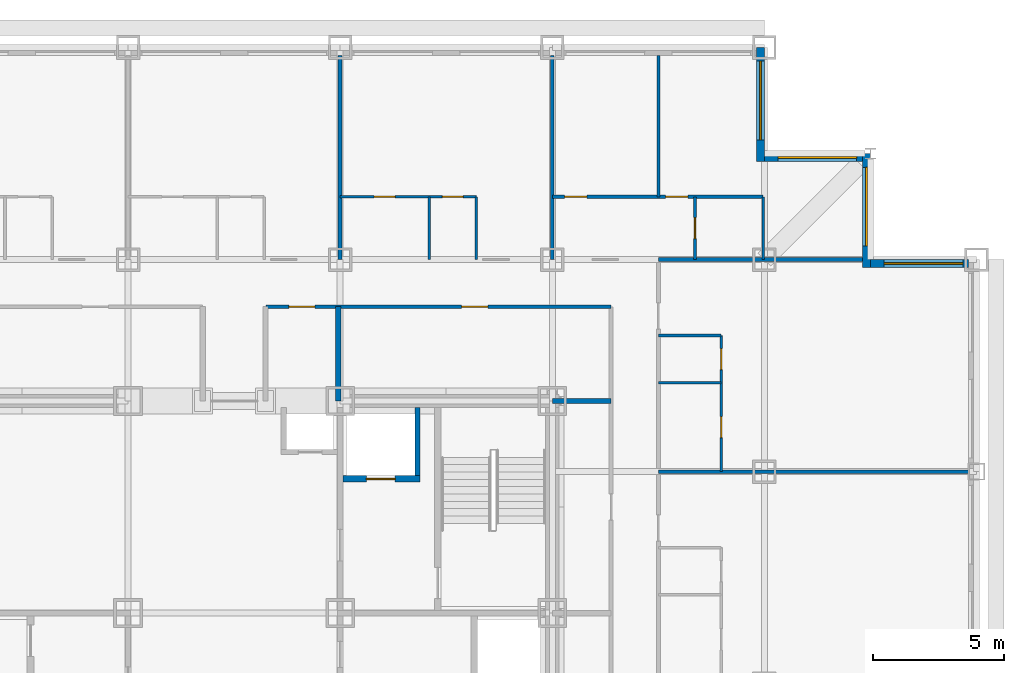
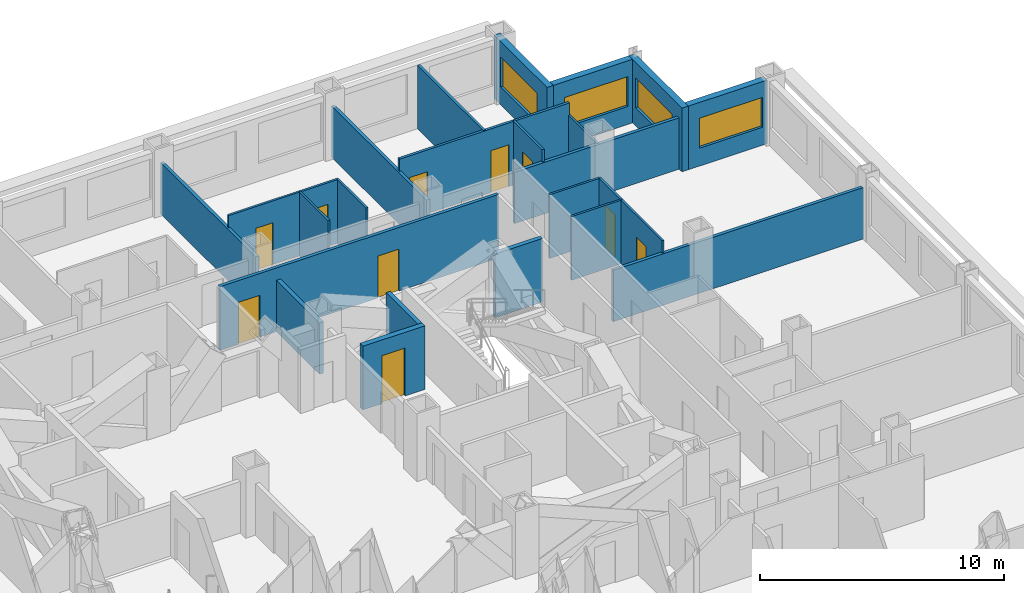
# One storey, part 10 of 13: 23 walls, 10 doors, 4 windows, 14 openings.
"""IFC4 building model written with IfcOpenShell, lengths in metres."""

from ifc_helpers import new_model, si_unit, direction, frame, frame_2d, origin, place, context, subcontext, project, spatial, rectangle, extrude, material, layer, layer_set, type_object, element, fill, save


model = new_model("IFC4")

# Units and contexts
model_context = context("Model", 3, precision=1e-05, world=origin(), true_north=direction((0.0, 1.0)))
body_context = subcontext(model_context, "Body", "Model", "MODEL_VIEW")
ifc_project = project(units=[si_unit("LENGTHUNIT", "METRE"), si_unit("AREAUNIT", "SQUARE_METRE"), si_unit("VOLUMEUNIT", "CUBIC_METRE"), si_unit("PLANEANGLEUNIT", "RADIAN"), si_unit("MASSUNIT", "GRAM", prefix="KILO")], contexts=[model_context])

# Site, building, storey
site_placement = place(None, origin())
site = spatial("IfcSite", under=ifc_project, at=site_placement, CompositionType="ELEMENT")
building_placement = place(site_placement, origin())
building = spatial("IfcBuilding", under=site, at=building_placement, Name="Kopane Lantern Tower", CompositionType="ELEMENT")
storey_placement = place(building_placement, frame((0.0, 0.0, 110.199951171875)))
storey = spatial("IfcBuildingStorey", under=building, at=storey_placement, Name="L27", CompositionType="ELEMENT", Elevation=110.199951171875)

# Wall, openings, doors
ifc_material_1 = material(Name="Gypsum board on steel studs", Category="steel")
ifc_layer_1 = layer(ifc_material_1, 0.1201171875)
ifc_layer_set_1 = layer_set([ifc_layer_1], Name="APARTMENT INTERNAL WALL 120")
wall_type_1 = type_object("IfcWallType", Name="APARTMENT INTERNAL WALL 120", PredefinedType="PARTITIONING", material=ifc_layer_set_1)
wall_1_placement = place(storey_placement, frame((40.5, 48.300048828125, 0.0), z_axis=(0.0, 0.0, 1.0), x_axis=(1.0, 0.0, 0.0)))
wall_1 = element("IfcWall", 1, at=wall_1_placement, inside=storey, type_object=wall_type_1, Name="Apartment Internal Wall 120 L27", PredefinedType="PARTITIONING", context=body_context, shape_type="SweptSolid", body=[
    extrude(rectangle(XDim=8.050048828125, YDim=0.1201171875, at=frame_2d((4.02490234375, 0.0))), origin(), (0.0, 0.0, 1.0), 3.18994140625),
])
opening_1_placement = place(wall_1_placement, frame((0.47509765625, 0.0, 0.0)))
opening_1 = element("IfcOpeningElement", 2, at=opening_1_placement, cuts=wall_1, Name="Opening L27-060", PredefinedType="OPENING", context=body_context, shape_type="SweptSolid", body=[
    extrude(rectangle(XDim=0.85009765625, YDim=2.10009765625, at=frame_2d((0.425048828125, 1.050048828125))), frame((0.0, 0.070068359375, 0.0), z_axis=(0.0, -1.0, 0.0), x_axis=(1.0, 0.0, 0.0)), (0.0, 0.0, 1.0), 0.14013671875),
])
opening_2_placement = place(wall_1_placement, frame((4.324951171875, 0.0, 0.0)))
opening_2 = element("IfcOpeningElement", 3, at=opening_2_placement, cuts=wall_1, Name="Opening L27-062", PredefinedType="OPENING", context=body_context, shape_type="SweptSolid", body=[
    extrude(rectangle(XDim=0.85009765625, YDim=2.10009765625, at=frame_2d((0.425048828125, 1.050048828125))), frame((0.0, 0.070068359375, 0.0), z_axis=(0.0, -1.0, 0.0), x_axis=(1.0, 0.0, 0.0)), (0.0, 0.0, 1.0), 0.14013671875),
])
ifc_material_2 = material(Name="Timber door set", Category="wood")
door_type_1 = type_object("IfcDoorType", Name="DOOR D4 850x2100", OperationType="SINGLE_SWING_LEFT", PredefinedType="DOOR", material=ifc_material_2)
door_1_placement = place(opening_1_placement, origin())
door_1 = element("IfcDoor", 4, at=door_1_placement, inside=storey, type_object=door_type_1, Name="Door L27-060", OperationType="SINGLE_SWING_RIGHT", OverallHeight=2.10009765625, OverallWidth=0.85009765625, PredefinedType="DOOR", context=body_context, shape_type="SweptSolid", body=[
    extrude(rectangle(XDim=0.85009765625, YDim=2.10009765625, at=frame_2d((0.425048828125, 1.050048828125))), frame((0.0, 0.02490234375, 0.0), z_axis=(0.0, -1.0, 0.0), x_axis=(1.0, 0.0, 0.0)), (0.0, 0.0, 1.0), 0.050048828125),
])
fill(opening_1, door_1)
door_2_placement = place(opening_2_placement, origin())
door_2 = element("IfcDoor", 5, at=door_2_placement, inside=storey, type_object=door_type_1, Name="Door L27-062", OperationType="SINGLE_SWING_LEFT", OverallHeight=2.10009765625, OverallWidth=0.85009765625, PredefinedType="DOOR", context=body_context, shape_type="SweptSolid", body=[
    extrude(rectangle(XDim=0.85009765625, YDim=2.10009765625, at=frame_2d((0.425048828125, 1.050048828125))), frame((0.0, 0.02490234375, 0.0), z_axis=(0.0, -1.0, 0.0), x_axis=(1.0, 0.0, 0.0)), (0.0, 0.0, 1.0), 0.050048828125),
])
fill(opening_2, door_2)

# Wall
wall_2_placement = place(storey_placement, frame((44.550048828125, 48.300048828125, 0.0), z_axis=(0.0, 0.0, 1.0), x_axis=(0.0, 1.0, 0.0)))
element("IfcWall", 6, at=wall_2_placement, inside=storey, type_object=wall_type_1, Name="Apartment Internal Wall 120 L27", PredefinedType="PARTITIONING", context=body_context, shape_type="SweptSolid", body=[
    extrude(rectangle(XDim=5.39990234375, YDim=0.1201171875, at=frame_2d((2.699951171875, 0.0))), origin(), (0.0, 0.0, 1.0), 3.18994140625),
])

# Wall, openings, doors
ifc_material_3 = material(Name="Moisture-resistant board on steel studs", Category="steel")
ifc_layer_2 = layer(ifc_material_3, 0.10009765625)
ifc_layer_set_2 = layer_set([ifc_layer_2], Name="BATHROOM WALL 100")
wall_type_2 = type_object("IfcWallType", Name="BATHROOM WALL 100", PredefinedType="PARTITIONING", material=ifc_layer_set_2)
wall_3_placement = place(storey_placement, frame((32.39990234375, 48.300048828125, 0.0), z_axis=(0.0, 0.0, 1.0), x_axis=(1.0, 0.0, 0.0)))
wall_3 = element("IfcWall", 7, at=wall_3_placement, inside=storey, type_object=wall_type_2, Name="Bathroom Wall 100 L27", PredefinedType="PARTITIONING", context=body_context, shape_type="SweptSolid", body=[
    extrude(rectangle(XDim=5.2001953125, YDim=0.10009765625, at=frame_2d((2.60009765625, 0.0))), origin(), (0.0, 0.0, 1.0), 3.18994140625),
])
opening_3_placement = place(wall_3_placement, frame((1.300048828125, 0.0, 0.0)))
opening_3 = element("IfcOpeningElement", 8, at=opening_3_placement, cuts=wall_3, Name="Opening L27-027", PredefinedType="OPENING", context=body_context, shape_type="SweptSolid", body=[
    extrude(rectangle(XDim=0.800048828125, YDim=2.10009765625, at=frame_2d((0.39990234375, 1.050048828125))), frame((0.0, 0.06005859375, 0.0), z_axis=(0.0, -1.0, 0.0), x_axis=(1.0, 0.0, 0.0)), (0.0, 0.0, 1.0), 0.1201171875),
])
opening_4_placement = place(wall_3_placement, frame((3.89990234375, 0.0, 0.0)))
opening_4 = element("IfcOpeningElement", 9, at=opening_4_placement, cuts=wall_3, Name="Opening L27-028", PredefinedType="OPENING", context=body_context, shape_type="SweptSolid", body=[
    extrude(rectangle(XDim=0.800048828125, YDim=2.10009765625, at=frame_2d((0.39990234375, 1.050048828125))), frame((0.0, 0.06005859375, 0.0), z_axis=(0.0, -1.0, 0.0), x_axis=(1.0, 0.0, 0.0)), (0.0, 0.0, 1.0), 0.1201171875),
])
ifc_material_4 = material(Name="Timber door set", Category="wood")
door_type_2 = type_object("IfcDoorType", Name="DOOR D2 800x2100", OperationType="SINGLE_SWING_LEFT", PredefinedType="DOOR", material=ifc_material_4)
door_3_placement = place(opening_3_placement, origin())
door_3 = element("IfcDoor", 10, at=door_3_placement, inside=storey, type_object=door_type_2, Name="Door L27-027", OperationType="SINGLE_SWING_LEFT", OverallHeight=2.10009765625, OverallWidth=0.800048828125, PredefinedType="DOOR", context=body_context, shape_type="SweptSolid", body=[
    extrude(rectangle(XDim=0.800048828125, YDim=2.10009765625, at=frame_2d((0.39990234375, 1.050048828125))), frame((0.0, 0.02490234375, 0.0), z_axis=(0.0, -1.0, 0.0), x_axis=(1.0, 0.0, 0.0)), (0.0, 0.0, 1.0), 0.050048828125),
])
fill(opening_3, door_3)
door_4_placement = place(opening_4_placement, origin())
door_4 = element("IfcDoor", 11, at=door_4_placement, inside=storey, type_object=door_type_2, Name="Door L27-028", OperationType="SINGLE_SWING_LEFT", OverallHeight=2.10009765625, OverallWidth=0.800048828125, PredefinedType="DOOR", context=body_context, shape_type="SweptSolid", body=[
    extrude(rectangle(XDim=0.800048828125, YDim=2.10009765625, at=frame_2d((0.39990234375, 1.050048828125))), frame((0.0, 0.02490234375, 0.0), z_axis=(0.0, -1.0, 0.0), x_axis=(1.0, 0.0, 0.0)), (0.0, 0.0, 1.0), 0.050048828125),
])
fill(opening_4, door_4)

# Walls
for number, where, z_axis, x_axis, name in (
    (12, (35.800048828125, 45.89990234375, 0.0), (0.0, 0.0, 1.0), (0.0, 1.0, 0.0), "Bathroom Wall 100 L27"),
    (13, (37.60009765625, 45.89990234375, 0.0), (0.0, 0.0, 1.0), (0.0, 1.0, 0.0), "Bathroom Wall 100 L27"),
):
    element("IfcWall", number, at=place(storey_placement, frame(where, z_axis=z_axis, x_axis=x_axis)), inside=storey, type_object=wall_type_2, Name=name, PredefinedType="PARTITIONING", context=body_context, shape_type="SweptSolid", body=[
        extrude(rectangle(XDim=2.400146484375, YDim=0.10009765625, at=frame_2d((1.2001953125, 0.0))), origin(), (0.0, 0.0, 1.0), 3.18994140625),
    ])

# Wall, openings, doors
wall_4_placement = place(storey_placement, frame((46.949951171875, 37.800048828125, 0.0), z_axis=(0.0, 0.0, 1.0), x_axis=(0.0, 1.0, 0.0)))
wall_4 = element("IfcWall", 14, at=wall_4_placement, inside=storey, type_object=wall_type_2, Name="Bathroom Wall 100 L27", PredefinedType="PARTITIONING", context=body_context, shape_type="SweptSolid", body=[
    extrude(rectangle(XDim=5.199951171875, YDim=0.10009765625, at=frame_2d((2.60009765625, 0.0))), origin(), (0.0, 0.0, 1.0), 3.18994140625),
])
opening_5_placement = place(wall_4_placement, frame((1.300048828125, 0.0, 0.0)))
opening_5 = element("IfcOpeningElement", 15, at=opening_5_placement, cuts=wall_4, Name="Opening L27-046", PredefinedType="OPENING", context=body_context, shape_type="SweptSolid", body=[
    extrude(rectangle(XDim=0.800048828125, YDim=2.10009765625, at=frame_2d((0.39990234375, 1.050048828125))), frame((0.0, 0.06005859375, 0.0), z_axis=(0.0, -1.0, 0.0), x_axis=(1.0, 0.0, 0.0)), (0.0, 0.0, 1.0), 0.1201171875),
])
opening_6_placement = place(wall_4_placement, frame((3.89990234375, 0.0, 0.0)))
opening_6 = element("IfcOpeningElement", 16, at=opening_6_placement, cuts=wall_4, Name="Opening L27-047", PredefinedType="OPENING", context=body_context, shape_type="SweptSolid", body=[
    extrude(rectangle(XDim=0.800048828125, YDim=2.10009765625, at=frame_2d((0.39990234375, 1.050048828125))), frame((0.0, 0.06005859375, 0.0), z_axis=(0.0, -1.0, 0.0), x_axis=(1.0, 0.0, 0.0)), (0.0, 0.0, 1.0), 0.1201171875),
])
door_5_placement = place(opening_5_placement, origin())
door_5 = element("IfcDoor", 17, at=door_5_placement, inside=storey, type_object=door_type_2, Name="Door L27-046", OperationType="SINGLE_SWING_RIGHT", OverallHeight=2.10009765625, OverallWidth=0.800048828125, PredefinedType="DOOR", context=body_context, shape_type="SweptSolid", body=[
    extrude(rectangle(XDim=0.800048828125, YDim=2.10009765625, at=frame_2d((0.39990234375, 1.050048828125))), frame((0.0, 0.02490234375, 0.0), z_axis=(0.0, -1.0, 0.0), x_axis=(1.0, 0.0, 0.0)), (0.0, 0.0, 1.0), 0.050048828125),
])
fill(opening_5, door_5)
door_6_placement = place(opening_6_placement, origin())
door_6 = element("IfcDoor", 18, at=door_6_placement, inside=storey, type_object=door_type_2, Name="Door L27-047", OperationType="SINGLE_SWING_RIGHT", OverallHeight=2.10009765625, OverallWidth=0.800048828125, PredefinedType="DOOR", context=body_context, shape_type="SweptSolid", body=[
    extrude(rectangle(XDim=0.800048828125, YDim=2.10009765625, at=frame_2d((0.39990234375, 1.050048828125))), frame((0.0, 0.02490234375, 0.0), z_axis=(0.0, -1.0, 0.0), x_axis=(1.0, 0.0, 0.0)), (0.0, 0.0, 1.0), 0.050048828125),
])
fill(opening_6, door_6)

# Walls
for number, where, z_axis, x_axis, name in (
    (19, (44.550048828125, 41.199951171875, 0.0), (0.0, 0.0, 1.0), (1.0, 0.0, 0.0), "Bathroom Wall 100 L27"),
    (20, (44.550048828125, 43.0, 0.0), (0.0, 0.0, 1.0), (1.0, 0.0, 0.0), "Bathroom Wall 100 L27"),
):
    element("IfcWall", number, at=place(storey_placement, frame(where, z_axis=z_axis, x_axis=x_axis)), inside=storey, type_object=wall_type_2, Name=name, PredefinedType="PARTITIONING", context=body_context, shape_type="SweptSolid", body=[
        extrude(rectangle(XDim=2.39990234375, YDim=0.10009765625, at=frame_2d((1.199951171875, 0.0))), origin(), (0.0, 0.0, 1.0), 3.18994140625),
    ])

# Wall, opening, door
wall_5_placement = place(storey_placement, frame((45.949951171875, 45.89990234375, 0.0), z_axis=(0.0, 0.0, 1.0), x_axis=(0.0, 1.0, 0.0)))
wall_5 = element("IfcWall", 21, at=wall_5_placement, inside=storey, type_object=wall_type_2, Name="Bathroom Wall 100 L27", PredefinedType="PARTITIONING", context=body_context, shape_type="SweptSolid", body=[
    extrude(rectangle(XDim=2.400146484375, YDim=0.10009765625, at=frame_2d((1.2001953125, 0.0))), origin(), (0.0, 0.0, 1.0), 3.18994140625),
])
opening_7_placement = place(wall_5_placement, frame((0.800048828125, 0.0, 0.0)))
opening_7 = element("IfcOpeningElement", 22, at=opening_7_placement, cuts=wall_5, Name="Opening L27-061", PredefinedType="OPENING", context=body_context, shape_type="SweptSolid", body=[
    extrude(rectangle(XDim=0.800048828125, YDim=2.10009765625, at=frame_2d((0.39990234375, 1.050048828125))), frame((0.0, 0.06005859375, 0.0), z_axis=(0.0, -1.0, 0.0), x_axis=(1.0, 0.0, 0.0)), (0.0, 0.0, 1.0), 0.1201171875),
])
door_7_placement = place(opening_7_placement, origin())
door_7 = element("IfcDoor", 23, at=door_7_placement, inside=storey, type_object=door_type_2, Name="Door L27-061", OperationType="SINGLE_SWING_RIGHT", OverallHeight=2.10009765625, OverallWidth=0.800048828125, PredefinedType="DOOR", context=body_context, shape_type="SweptSolid", body=[
    extrude(rectangle(XDim=0.800048828125, YDim=2.10009765625, at=frame_2d((0.39990234375, 1.050048828125))), frame((0.0, 0.02490234375, 0.0), z_axis=(0.0, -1.0, 0.0), x_axis=(1.0, 0.0, 0.0)), (0.0, 0.0, 1.0), 0.050048828125),
])
fill(opening_7, door_7)

# Wall
wall_6_placement = place(storey_placement, frame((48.550048828125, 45.89990234375, 0.0), z_axis=(0.0, 0.0, 1.0), x_axis=(0.0, 1.0, 0.0)))
element("IfcWall", 24, at=wall_6_placement, inside=storey, type_object=wall_type_2, Name="Bathroom Wall 100 L27", PredefinedType="PARTITIONING", context=body_context, shape_type="SweptSolid", body=[
    extrude(rectangle(XDim=2.400146484375, YDim=0.10009765625, at=frame_2d((1.2001953125, 0.0))), origin(), (0.0, 0.0, 1.0), 2.577880859375),
])

# Wall, opening, door
ifc_material_5 = material(Name="Gypsum shaft wall EI 120", Category="gypsum")
ifc_layer_3 = layer(ifc_material_5, 0.25)
ifc_layer_set_3 = layer_set([ifc_layer_3], Name="CORE SHAFT WALL 250 EI 120")
wall_type_3 = type_object("IfcWallType", Name="CORE SHAFT WALL 250 EI 120", PredefinedType="SOLIDWALL", material=ifc_layer_set_3)
wall_7_placement = place(storey_placement, frame((32.5, 37.52490234375, 0.0), z_axis=(0.0, 0.0, 1.0), x_axis=(1.0, 0.0, 0.0)))
wall_7 = element("IfcWall", 25, at=wall_7_placement, inside=storey, type_object=wall_type_3, Name="Core shaft wall L27 YLF2", PredefinedType="SOLIDWALL", context=body_context, shape_type="SweptSolid", body=[
    extrude(rectangle(XDim=2.949951171875, YDim=0.25, at=frame_2d((1.47509765625, 0.0))), origin(), (0.0, 0.0, 1.0), 3.18994140625),
])
opening_8_placement = place(wall_7_placement, frame((0.89990234375, 0.0, 0.0)))
opening_8 = element("IfcOpeningElement", 26, at=opening_8_placement, cuts=wall_7, Name="Opening 27.LD-LF2", PredefinedType="OPENING", context=body_context, shape_type="SweptSolid", body=[
    extrude(rectangle(XDim=1.10009765625, YDim=2.39990234375, at=frame_2d((0.550048828125, 1.199951171875))), frame((0.0, 0.135009765625, 0.0), z_axis=(0.0, -1.0, 0.0), x_axis=(1.0, 0.0, 0.0)), (0.0, 0.0, 1.0), 0.27001953125),
])
ifc_material_6 = material(Name="Steel door set", Category="steel")
door_type_3 = type_object("IfcDoorType", Name="LIFT LANDING DOOR 1100x2400 FD60", OperationType="DOUBLE_DOOR_SLIDING", PredefinedType="DOOR", material=ifc_material_6)
door_8_placement = place(opening_8_placement, origin())
door_8 = element("IfcDoor", 27, at=door_8_placement, inside=storey, type_object=door_type_3, Name="Landing door LF2 L27", OperationType="DOUBLE_DOOR_SLIDING", OverallHeight=2.39990234375, OverallWidth=1.10009765625, PredefinedType="DOOR", context=body_context, shape_type="SweptSolid", body=[
    extrude(rectangle(XDim=1.10009765625, YDim=2.39990234375, at=frame_2d((0.550048828125, 1.199951171875))), frame((0.0, 0.02490234375, 0.0), z_axis=(0.0, -1.0, 0.0), x_axis=(1.0, 0.0, 0.0)), (0.0, 0.0, 1.0), 0.050048828125),
])
fill(opening_8, door_8)

# Wall, openings, doors
ifc_material_7 = material(Name="Gypsum board on steel studs", Category="steel")
ifc_layer_4 = layer(ifc_material_7, 0.14990234375)
ifc_layer_set_4 = layer_set([ifc_layer_4], Name="CORRIDOR WALL 150 EI 60")
wall_type_4 = type_object("IfcWallType", Name="CORRIDOR WALL 150 EI 60", PredefinedType="PARTITIONING", material=ifc_layer_set_4)
wall_8_placement = place(storey_placement, frame((42.75, 44.10009765625, 0.0), z_axis=(0.0, 0.0, 1.0), x_axis=(-1.0, 0.0, 0.0)))
wall_8 = element("IfcWall", 28, at=wall_8_placement, inside=storey, type_object=wall_type_4, Name="Corridor Wall 150 Ei 60 L27", PredefinedType="PARTITIONING", context=body_context, shape_type="SweptSolid", body=[
    extrude(rectangle(XDim=13.18994140625, YDim=0.14990234375, at=frame_2d((6.594970703125, 0.0))), origin(), (0.0, 0.0, 1.0), 3.18994140625),
])
opening_9_placement = place(wall_8_placement, frame((11.31103515625, 0.0, 0.0)))
opening_9 = element("IfcOpeningElement", 29, at=opening_9_placement, cuts=wall_8, Name="Opening L27-007", PredefinedType="OPENING", context=body_context, shape_type="SweptSolid", body=[
    extrude(rectangle(XDim=1.0, YDim=2.10009765625, at=frame_2d((0.5, 1.050048828125))), frame((0.0, 0.0849609375, 0.0), z_axis=(0.0, -1.0, 0.0), x_axis=(1.0, 0.0, 0.0)), (0.0, 0.0, 1.0), 0.169921875),
])
opening_10_placement = place(wall_8_placement, frame((4.711181640625, 0.0, 0.0)))
opening_10 = element("IfcOpeningElement", 30, at=opening_10_placement, cuts=wall_8, Name="Opening L27-008", PredefinedType="OPENING", context=body_context, shape_type="SweptSolid", body=[
    extrude(rectangle(XDim=1.0, YDim=2.10009765625, at=frame_2d((0.5, 1.050048828125))), frame((0.0, 0.0849609375, 0.0), z_axis=(0.0, -1.0, 0.0), x_axis=(1.0, 0.0, 0.0)), (0.0, 0.0, 1.0), 0.169921875),
])
ifc_material_8 = material(Name="Steel door set", Category="steel")
door_type_4 = type_object("IfcDoorType", Name="DOOR D5 1000x2100 FD60", OperationType="SINGLE_SWING_LEFT", PredefinedType="DOOR", material=ifc_material_8)
door_9_placement = place(opening_9_placement, origin())
door_9 = element("IfcDoor", 31, at=door_9_placement, inside=storey, type_object=door_type_4, Name="Door L27-007", OperationType="SINGLE_SWING_RIGHT", OverallHeight=2.10009765625, OverallWidth=1.0, PredefinedType="DOOR", context=body_context, shape_type="SweptSolid", body=[
    extrude(rectangle(XDim=1.0, YDim=2.10009765625, at=frame_2d((0.5, 1.050048828125))), frame((0.0, 0.02490234375, 0.0), z_axis=(0.0, -1.0, 0.0), x_axis=(1.0, 0.0, 0.0)), (0.0, 0.0, 1.0), 0.050048828125),
])
fill(opening_9, door_9)
door_10_placement = place(opening_10_placement, origin())
door_10 = element("IfcDoor", 32, at=door_10_placement, inside=storey, type_object=door_type_4, Name="Door L27-008", OperationType="SINGLE_SWING_LEFT", OverallHeight=2.10009765625, OverallWidth=1.0, PredefinedType="DOOR", context=body_context, shape_type="SweptSolid", body=[
    extrude(rectangle(XDim=1.0, YDim=2.10009765625, at=frame_2d((0.5, 1.050048828125))), frame((0.0, 0.02490234375, 0.0), z_axis=(0.0, -1.0, 0.0), x_axis=(1.0, 0.0, 0.0)), (0.0, 0.0, 1.0), 0.050048828125),
])
fill(opening_10, door_10)

# Walls
ifc_material_9 = material(Name="Gypsum board on steel studs", Category="steel")
ifc_layer_5 = layer(ifc_material_9, 0.14990234375)
ifc_layer_set_5 = layer_set([ifc_layer_5], Name="DEMISING WALL 150 EI 60")
wall_type_5 = type_object("IfcWallType", Name="DEMISING WALL 150 EI 60", PredefinedType="PARTITIONING", material=ifc_layer_set_5)
wall_9_placement = place(storey_placement, frame((32.39990234375, 45.89990234375, 0.0), z_axis=(0.0, 0.0, 1.0), x_axis=(0.0, 1.0, 0.0)))
element("IfcWall", 33, at=wall_9_placement, inside=storey, type_object=wall_type_5, Name="Demising Wall 150 Ei 60 L27", PredefinedType="PARTITIONING", context=body_context, shape_type="SweptSolid", body=[
    extrude(rectangle(XDim=7.800048828125, YDim=0.14990234375, at=frame_2d((3.89990234375, 0.0))), origin(), (0.0, 0.0, 1.0), 2.577880859375),
])
wall_10_placement = place(storey_placement, frame((44.550048828125, 37.800048828125, 0.0), z_axis=(0.0, 0.0, 1.0), x_axis=(1.0, 0.0, 0.0)))
element("IfcWall", 34, at=wall_10_placement, inside=storey, type_object=wall_type_5, Name="Demising Wall 150 Ei 60 L27", PredefinedType="PARTITIONING", context=body_context, shape_type="SweptSolid", body=[
    extrude(rectangle(XDim=11.849853515625, YDim=0.14990234375, at=frame_2d((5.9248046875, 0.0))), origin(), (0.0, 0.0, 1.0), 2.577880859375),
])
for number, where, z_axis, x_axis, name in (
    (35, (44.550048828125, 45.89990234375, 0.0), (0.0, 0.0, 1.0), (1.0, 0.0, 0.0), "Demising Wall 150 Ei 60 L27"),
    (36, (40.5, 45.89990234375, 0.0), (0.0, 0.0, 1.0), (0.0, 1.0, 0.0), "Demising Wall 150 Ei 60 L27"),
):
    element("IfcWall", number, at=place(storey_placement, frame(where, z_axis=z_axis, x_axis=x_axis)), inside=storey, type_object=wall_type_5, Name=name, PredefinedType="PARTITIONING", context=body_context, shape_type="SweptSolid", body=[
        extrude(rectangle(XDim=7.800048828125, YDim=0.14990234375, at=frame_2d((3.89990234375, 0.0))), origin(), (0.0, 0.0, 1.0), 2.577880859375),
    ])

# Wall, opening, window
ifc_material_10 = material(Name="Terracotta rainscreen on light steel framing", Category="masonry")
ifc_layer_6 = layer(ifc_material_10, 0.300048828125)
ifc_layer_set_6 = layer_set([ifc_layer_6], Name="EXTERNAL WALL EW1 300 TERRACOTTA")
wall_type_6 = type_object("IfcWallType", Name="EXTERNAL WALL EW1 300 TERRACOTTA", PredefinedType="SOLIDWALL", material=ifc_layer_set_6)
wall_11_placement = place(storey_placement, frame((56.39990234375, 45.75, 0.0), z_axis=(0.0, 0.0, 1.0), x_axis=(-1.0, 0.0, 0.0)))
wall_11 = element("IfcWall", 37, at=wall_11_placement, inside=storey, type_object=wall_type_6, Name="External wall N L27", PredefinedType="SOLIDWALL", context=body_context, shape_type="SweptSolid", body=[
    extrude(rectangle(XDim=3.75, YDim=0.300048828125, at=frame_2d((1.875, 0.0))), origin(), (0.0, 0.0, 1.0), 3.18994140625),
])
opening_11_placement = place(wall_11_placement, frame((0.22509765625, 0.0, 0.89990234375)))
opening_11 = element("IfcOpeningElement", 38, at=opening_11_placement, cuts=wall_11, Name="Opening WR300150", PredefinedType="OPENING", context=body_context, shape_type="SweptSolid", body=[
    extrude(rectangle(XDim=3.0, YDim=1.5, at=frame_2d((1.5, 0.75))), frame((0.0, 0.159912109375, 0.0), z_axis=(0.0, -1.0, 0.0), x_axis=(1.0, 0.0, 0.0)), (0.0, 0.0, 1.0), 0.320068359375),
])
ifc_material_11 = material(Name="Aluminium and clear glass", Category="aluminium")
window_type = type_object("IfcWindowType", Name="RIBBON WINDOW WR300150 3000x1500", PartitioningType="SINGLE_PANEL", PredefinedType="WINDOW", material=ifc_material_11)
window_1_placement = place(opening_11_placement, origin())
window_1 = element("IfcWindow", 39, at=window_1_placement, inside=storey, type_object=window_type, Name="Window N L27", OverallHeight=1.5, OverallWidth=3.0, PartitioningType="SINGLE_PANEL", PredefinedType="WINDOW", context=body_context, shape_type="SweptSolid", body=[
    extrude(rectangle(XDim=3.0, YDim=1.5, at=frame_2d((1.5, 0.75))), frame((0.0, 0.030029296875, 0.0), z_axis=(0.0, -1.0, 0.0), x_axis=(1.0, 0.0, 0.0)), (0.0, 0.0, 1.0), 0.06005859375),
])
fill(opening_11, window_1)

wall_12_placement = place(storey_placement, frame((52.5, 45.60009765625, 0.0), z_axis=(0.0, 0.0, 1.0), x_axis=(0.0, 1.0, 0.0)))
wall_12 = element("IfcWall", 40, at=wall_12_placement, inside=storey, type_object=wall_type_6, Name="External wall E L27", PredefinedType="SOLIDWALL", context=body_context, shape_type="SweptSolid", body=[
    extrude(rectangle(XDim=4.349853515625, YDim=0.300048828125, at=frame_2d((2.1748046875, 0.0))), origin(), (0.0, 0.0, 1.0), 3.18994140625),
])
opening_12_placement = place(wall_12_placement, frame((0.824951171875, 0.0, 0.89990234375)))
opening_12 = element("IfcOpeningElement", 41, at=opening_12_placement, cuts=wall_12, Name="Opening WR300150", PredefinedType="OPENING", context=body_context, shape_type="SweptSolid", body=[
    extrude(rectangle(XDim=3.0, YDim=1.5, at=frame_2d((1.5, 0.75))), frame((0.0, 0.159912109375, 0.0), z_axis=(0.0, -1.0, 0.0), x_axis=(1.0, 0.0, 0.0)), (0.0, 0.0, 1.0), 0.320068359375),
])
window_2_placement = place(opening_12_placement, origin())
window_2 = element("IfcWindow", 42, at=window_2_placement, inside=storey, type_object=window_type, Name="Window E L27", OverallHeight=1.5, OverallWidth=3.0, PartitioningType="SINGLE_PANEL", PredefinedType="WINDOW", context=body_context, shape_type="SweptSolid", body=[
    extrude(rectangle(XDim=3.0, YDim=1.5, at=frame_2d((1.5, 0.75))), frame((0.0, 0.030029296875, 0.0), z_axis=(0.0, -1.0, 0.0), x_axis=(1.0, 0.0, 0.0)), (0.0, 0.0, 1.0), 0.06005859375),
])
fill(opening_12, window_2)

wall_13_placement = place(storey_placement, frame((52.35009765625, 49.800048828125, 0.0), z_axis=(0.0, 0.0, 1.0), x_axis=(-1.0, 0.0, 0.0)))
wall_13 = element("IfcWall", 43, at=wall_13_placement, inside=storey, type_object=wall_type_6, Name="External wall N L27", PredefinedType="SOLIDWALL", context=body_context, shape_type="SweptSolid", body=[
    extrude(rectangle(XDim=3.75, YDim=0.300048828125, at=frame_2d((1.875, 0.0))), origin(), (0.0, 0.0, 1.0), 3.18994140625),
])
opening_13_placement = place(wall_13_placement, frame((0.22509765625, 0.0, 0.89990234375)))
opening_13 = element("IfcOpeningElement", 44, at=opening_13_placement, cuts=wall_13, Name="Opening WR300150", PredefinedType="OPENING", context=body_context, shape_type="SweptSolid", body=[
    extrude(rectangle(XDim=3.0, YDim=1.5, at=frame_2d((1.5, 0.75))), frame((0.0, 0.159912109375, 0.0), z_axis=(0.0, -1.0, 0.0), x_axis=(1.0, 0.0, 0.0)), (0.0, 0.0, 1.0), 0.320068359375),
])
window_3_placement = place(opening_13_placement, origin())
window_3 = element("IfcWindow", 45, at=window_3_placement, inside=storey, type_object=window_type, Name="Window N L27", OverallHeight=1.5, OverallWidth=3.0, PartitioningType="SINGLE_PANEL", PredefinedType="WINDOW", context=body_context, shape_type="SweptSolid", body=[
    extrude(rectangle(XDim=3.0, YDim=1.5, at=frame_2d((1.5, 0.75))), frame((0.0, 0.030029296875, 0.0), z_axis=(0.0, -1.0, 0.0), x_axis=(1.0, 0.0, 0.0)), (0.0, 0.0, 1.0), 0.06005859375),
])
fill(opening_13, window_3)

wall_14_placement = place(storey_placement, frame((48.449951171875, 49.64990234375, 0.0), z_axis=(0.0, 0.0, 1.0), x_axis=(0.0, 1.0, 0.0)))
wall_14 = element("IfcWall", 46, at=wall_14_placement, inside=storey, type_object=wall_type_6, Name="External wall E L27", PredefinedType="SOLIDWALL", context=body_context, shape_type="SweptSolid", body=[
    extrude(rectangle(XDim=4.35009765625, YDim=0.300048828125, at=frame_2d((2.175048828125, 0.0))), origin(), (0.0, 0.0, 1.0), 3.18994140625),
])
opening_14_placement = place(wall_14_placement, frame((0.824951171875, 0.0, 0.89990234375)))
opening_14 = element("IfcOpeningElement", 47, at=opening_14_placement, cuts=wall_14, Name="Opening WR300150", PredefinedType="OPENING", context=body_context, shape_type="SweptSolid", body=[
    extrude(rectangle(XDim=3.0, YDim=1.5, at=frame_2d((1.5, 0.75))), frame((0.0, 0.159912109375, 0.0), z_axis=(0.0, -1.0, 0.0), x_axis=(1.0, 0.0, 0.0)), (0.0, 0.0, 1.0), 0.320068359375),
])
window_4_placement = place(opening_14_placement, origin())
window_4 = element("IfcWindow", 48, at=window_4_placement, inside=storey, type_object=window_type, Name="Window E L27", OverallHeight=1.5, OverallWidth=3.0, PartitioningType="SINGLE_PANEL", PredefinedType="WINDOW", context=body_context, shape_type="SweptSolid", body=[
    extrude(rectangle(XDim=3.0, YDim=1.5, at=frame_2d((1.5, 0.75))), frame((0.0, 0.030029296875, 0.0), z_axis=(0.0, -1.0, 0.0), x_axis=(1.0, 0.0, 0.0)), (0.0, 0.0, 1.0), 0.06005859375),
])
fill(opening_14, window_4)

# Walls
ifc_material_12 = material(Name="Concrete masonry", Category="masonry")
ifc_layer_7 = layer(ifc_material_12, 0.199951171875)
ifc_layer_set_7 = layer_set([ifc_layer_7], Name="PLANT ROOM WALL 200 EI 120")
wall_type_7 = type_object("IfcWallType", Name="PLANT ROOM WALL 200 EI 120", PredefinedType="SOLIDWALL", material=ifc_layer_set_7)
wall_15_placement = place(storey_placement, frame((32.327880859375, 44.10009765625, 0.0), z_axis=(0.0, 0.0, 1.0), x_axis=(0.0, -1.0, 0.0)))
element("IfcWall", 49, at=wall_15_placement, inside=storey, type_object=wall_type_7, Name="Plant Room Wall 200 Ei 120 L27", PredefinedType="SOLIDWALL", context=body_context, shape_type="SweptSolid", body=[
    extrude(rectangle(XDim=3.60009765625, YDim=0.199951171875, at=frame_2d((1.800048828125, 0.0))), origin(), (0.0, 0.0, 1.0), 2.577880859375),
])
wall_16_placement = place(storey_placement, frame((40.5, 40.5, 0.0), z_axis=(0.0, 0.0, 1.0), x_axis=(1.0, 0.0, 0.0)))
element("IfcWall", 50, at=wall_16_placement, inside=storey, type_object=wall_type_7, Name="Plant Room Wall 200 Ei 120 L27", PredefinedType="SOLIDWALL", context=body_context, shape_type="SweptSolid", body=[
    extrude(rectangle(XDim=2.25, YDim=0.199951171875, at=frame_2d((1.125, 0.0))), origin(), (0.0, 0.0, 1.0), 3.18994140625),
])
ifc_material_13 = material(Name="Gypsum shaft wall EI 120", Category="gypsum")
ifc_layer_8 = layer(ifc_material_13, 0.199951171875)
ifc_layer_set_8 = layer_set([ifc_layer_8], Name="SHAFT WALL 200 EI 120")
wall_type_8 = type_object("IfcWallType", Name="SHAFT WALL 200 EI 120", PredefinedType="SOLIDWALL", material=ifc_layer_set_8)
wall_17_placement = place(storey_placement, frame((35.35009765625, 37.64990234375, 0.0), z_axis=(0.0, 0.0, 1.0), x_axis=(0.0, 1.0, 0.0)))
element("IfcWall", 51, at=wall_17_placement, inside=storey, type_object=wall_type_8, Name="Core shaft wall L27 XLF2", PredefinedType="SOLIDWALL", context=body_context, shape_type="SweptSolid", body=[
    extrude(rectangle(XDim=2.60009765625, YDim=0.199951171875, at=frame_2d((1.300048828125, 0.0))), origin(), (0.0, 0.0, 1.0), 3.18994140625),
])

save(model, "model.ifc")
